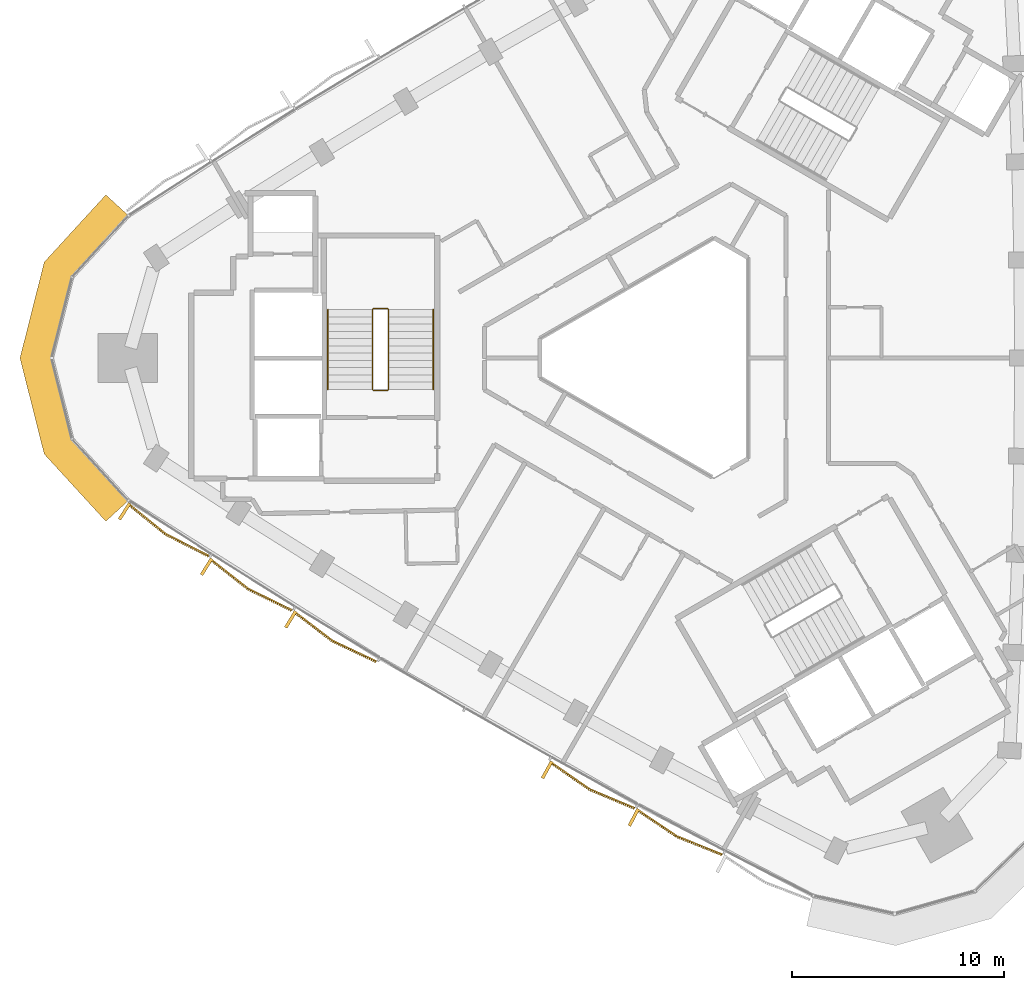
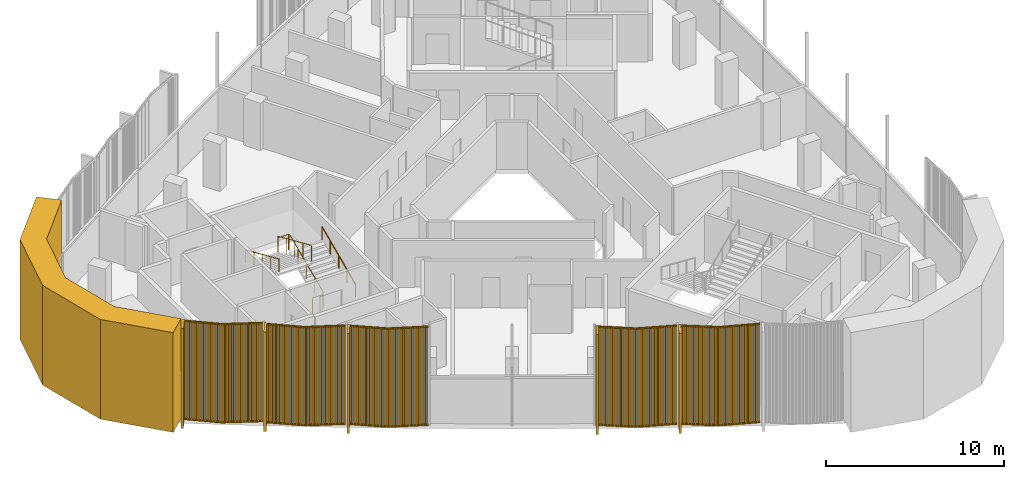
# One storey, part 12 of 16: 6 coverings, 3 railings.
"""IFC4 building model written with IfcOpenShell, lengths in metres."""

import ifcopenshell
import ifcopenshell.guid

model = None  # the IFC model being written
_history = None  # IfcOwnerHistory: only IFC2X3 demands one
_inside = {}  # id of a spatial element -> (the spatial element, [elements in it])
_under = {}  # id of a project, library or spatial element -> (it, [spatial elements below it])
_declared = {}  # id of a project -> (the project, [libraries it declares])
_typed = {}  # id of a type object -> (the type object, [elements of that type])
_made_of = {}  # id of a material, layer set ... -> (it, [elements and type objects made of it])


def new_model(schema):
    """Start an empty IFC model of exactly this schema.

    Asked for "IFC4X3", IfcOpenShell would pick the latest addendum, in which some entities
    have other attributes; the version numbers below select the first issue.
    IFC2X3 requires an IfcOwnerHistory on every rooted entity: one is made here for all.
    """
    global model, _history
    if schema == "IFC4X3":
        model = ifcopenshell.file(schema_version=(4, 3, 0, 0))
    else:
        model = ifcopenshell.file(schema=schema)
    _inside.clear()
    _under.clear()
    _declared.clear()
    _typed.clear()
    _made_of.clear()
    _history = None
    if model.schema == "IFC2X3":
        org = make("IfcOrganization", Name="unknown")
        user = make(
            "IfcPersonAndOrganization",
            ThePerson=make("IfcPerson", FamilyName="unknown"),
            TheOrganization=org,
        )
        app = make(
            "IfcApplication",
            ApplicationDeveloper=org,
            Version="unknown",
            ApplicationFullName="unknown",
            ApplicationIdentifier="unknown",
        )
        _history = make(
            "IfcOwnerHistory",
            OwningUser=user,
            OwningApplication=app,
            ChangeAction="ADDED",
            CreationDate=0,
        )
    return model


def make(cls, **values):
    """One entity of the class cls with the attributes given. An attribute that is None is left unset."""
    return model.create_entity(
        cls, **{name: value for name, value in values.items() if value is not None}
    )


def rooted(cls, **values):
    """An entity with a GlobalId (a new one), such as an element, a storey or a relation."""
    return make(cls, GlobalId=ifcopenshell.guid.new(), OwnerHistory=_history, **values)


def si_unit(unit_type, name, prefix=None):
    """IfcSIUnit, for example si_unit("LENGTHUNIT", "METRE", prefix="MILLI")."""
    return make("IfcSIUnit", UnitType=unit_type, Prefix=prefix, Name=name)


def assignment(units):
    """IfcUnitAssignment: the units of a project."""
    return None if units is None else make("IfcUnitAssignment", Units=units)


def point(xyz):
    """IfcCartesianPoint."""
    return None if xyz is None else make("IfcCartesianPoint", Coordinates=xyz)


def direction(xyz):
    """IfcDirection."""
    return None if xyz is None else make("IfcDirection", DirectionRatios=xyz)


def frame(location, z_axis=None, x_axis=None):
    """IfcAxis2Placement3D, a coordinate frame: its origin and axes. An axis left out is left unset."""
    return make(
        "IfcAxis2Placement3D",
        Location=point(location),
        Axis=direction(z_axis),
        RefDirection=direction(x_axis),
    )


def frame_2d(location, x_axis=None):
    """IfcAxis2Placement2D, a coordinate frame in the plane: its origin and x axis."""
    return make(
        "IfcAxis2Placement2D", Location=point(location), RefDirection=direction(x_axis)
    )


def origin():
    """The frame at (0, 0, 0) with its axes left unset."""
    return frame((0.0, 0.0, 0.0))


def origin_2d():
    """The frame at (0, 0) in the plane with its x axis left unset."""
    return frame_2d((0.0, 0.0))


def place(relative_to, where):
    """IfcLocalPlacement: puts the frame where relative to a parent placement (None: the world)."""
    return make(
        "IfcLocalPlacement", PlacementRelTo=relative_to, RelativePlacement=where
    )


def context(
    kind, dimensions, precision=None, world=None, true_north=None, identifier=None
):
    """IfcGeometricRepresentationContext, for example the 3D "Model" context."""
    return make(
        "IfcGeometricRepresentationContext",
        ContextIdentifier=identifier,
        ContextType=kind,
        CoordinateSpaceDimension=dimensions,
        Precision=precision,
        WorldCoordinateSystem=world,
        TrueNorth=true_north,
    )


def subcontext(parent, identifier, kind, view, scale=None):
    """IfcGeometricRepresentationSubContext, for example "Body" below "Model"."""
    return make(
        "IfcGeometricRepresentationSubContext",
        ContextIdentifier=identifier,
        ContextType=kind,
        ParentContext=parent,
        TargetScale=scale,
        TargetView=view,
    )


def project(units=None, contexts=None):
    """IfcProject with its units and contexts."""
    return rooted(
        "IfcProject",
        Name="project",
        RepresentationContexts=contexts,
        UnitsInContext=assignment(units),
    )


def spatial(cls, under=None, at=None, **own):
    """A site, building, storey or space (cls), placed at a placement, below another one or the project."""
    s = rooted(cls, ObjectPlacement=at, **own)
    if under is not None:
        _under.setdefault(under.id(), (under, []))[1].append(s)
    return s


def polyline(points):
    """IfcPolyline through the points."""
    return make("IfcPolyline", Points=[point(p) for p in points])


def profile(cls, at=None, kind="AREA", **sizes):
    """A parametric profile (cls). Its sizes go by their IFC names, for example OverallWidth=200.0."""
    return make(cls, ProfileType=kind, Position=at, **sizes)


def rectangle(**sizes):
    """IfcRectangleProfileDef."""
    return profile("IfcRectangleProfileDef", **sizes)


def circle(**sizes):
    """IfcCircleProfileDef."""
    return profile("IfcCircleProfileDef", **sizes)


def outline(outer, holes=None, kind="AREA"):
    """IfcArbitraryClosedProfileDef: a profile drawn as a closed curve; with holes, ...WithVoids."""
    if holes is None:
        return make("IfcArbitraryClosedProfileDef", ProfileType=kind, OuterCurve=outer)
    return make(
        "IfcArbitraryProfileDefWithVoids",
        ProfileType=kind,
        OuterCurve=outer,
        InnerCurves=holes,
    )


def extrude(swept, where, along, depth):
    """IfcExtrudedAreaSolid: the profile swept, set in the frame where, extruded along a direction by depth."""
    return make(
        "IfcExtrudedAreaSolid",
        SweptArea=swept,
        Position=where,
        ExtrudedDirection=direction(along),
        Depth=depth,
    )


def shape(context_of_items, identifier, shape_type, items):
    """IfcShapeRepresentation: the items that make up one representation, for example the "Body"."""
    return make(
        "IfcShapeRepresentation",
        ContextOfItems=context_of_items,
        RepresentationIdentifier=identifier,
        RepresentationType=shape_type,
        Items=items,
    )


def source(mapping_origin, context_of_items, identifier, shape_type, items):
    """IfcRepresentationMap: a shape defined once, which mapped items show again and again."""
    return make(
        "IfcRepresentationMap",
        MappingOrigin=mapping_origin,
        MappedRepresentation=shape(context_of_items, identifier, shape_type, items),
    )


def transform(
    local_origin,
    x_axis=None,
    y_axis=None,
    z_axis=None,
    scale=None,
    scale2=None,
    scale3=None,
    uniform=True,
):
    """IfcCartesianTransformationOperator3D, or its non-uniform kind. x_axis, y_axis, z_axis: its Axis1, 2, 3."""
    if uniform:
        return make(
            "IfcCartesianTransformationOperator3D",
            Axis1=direction(x_axis),
            Axis2=direction(y_axis),
            LocalOrigin=point(local_origin),
            Scale=scale,
            Axis3=direction(z_axis),
        )
    return make(
        "IfcCartesianTransformationOperator3DnonUniform",
        Axis1=direction(x_axis),
        Axis2=direction(y_axis),
        LocalOrigin=point(local_origin),
        Scale=scale,
        Axis3=direction(z_axis),
        Scale2=scale2,
        Scale3=scale3,
    )


def mapped(mapping_source, mapping_target):
    """IfcMappedItem: shows the shape of a source again, moved by a transform."""
    return make(
        "IfcMappedItem", MappingSource=mapping_source, MappingTarget=mapping_target
    )


def material(Name=None, Category=None):
    """IfcMaterial."""
    return make("IfcMaterial", Name=Name, Category=Category)


def layer(
    of_material, thickness, ventilated=None, Name=None, Category=None, Priority=None
):
    """IfcMaterialLayer: one layer of a wall or slab, of a material (None: an air gap)."""
    return make(
        "IfcMaterialLayer",
        Material=of_material,
        LayerThickness=thickness,
        IsVentilated=ventilated,
        Name=Name,
        Category=Category,
        Priority=Priority,
    )


def layer_set(layers, Name=None):
    """IfcMaterialLayerSet."""
    return make("IfcMaterialLayerSet", MaterialLayers=layers, LayerSetName=Name)


def made_of(thing, what):
    """Note that an element or type object is made of a material, layer set ...; save() writes the relation."""
    if what is not None:
        _made_of.setdefault(what.id(), (what, []))[1].append(thing)
    return thing


def type_object(cls, material=None, **own):
    """A type object (cls), such as IfcWallType, which elements share."""
    return made_of(rooted(cls, **own), material)


def element(
    cls,
    number,
    at=None,
    inside=None,
    cuts=None,
    type_object=None,
    material=None,
    context=None,
    identifier="Body",
    shape_type=None,
    held_by="IfcProductDefinitionShape",
    body=None,
    shapes=None,
    **own,
):
    """One element of the class cls, such as IfcWall. Its Tag is "e" and its number.

    at: its placement. inside: the storey or other place that contains it. cuts: it is an
    opening in that element (IfcRelVoidsElement). A single representation is given by context,
    identifier, shape_type and body (its items); several are given by shapes. held_by: the class
    of the entity that holds the representations. save() writes the other relations.
    """
    e = rooted(cls, Tag="e%d" % number, ObjectPlacement=at, **own)
    if body is not None:
        shapes = [shape(context, identifier, shape_type, body)]
    if shapes is not None:
        e.Representation = make(held_by, Representations=shapes)
    if inside is not None:
        _inside.setdefault(inside.id(), (inside, []))[1].append(e)
    if cuts is not None:
        rooted(
            "IfcRelVoidsElement", RelatingBuildingElement=cuts, RelatedOpeningElement=e
        )
    if type_object is not None:
        _typed.setdefault(type_object.id(), (type_object, []))[1].append(e)
    return made_of(e, material)


def aggregate(whole, parts):
    """IfcRelAggregates: a whole, such as a stair, and the parts it consists of."""
    return rooted("IfcRelAggregates", RelatingObject=whole, RelatedObjects=parts)


def save(model, path):
    """Write the relations noted so far, then the file.

    IfcRelAggregates (storeys below a building ...), IfcRelContainedInSpatialStructure (elements
    in a storey), IfcRelDefinesByType, IfcRelAssociatesMaterial and IfcRelDeclares: one each for
    every whole, place, type object, material and project.
    """
    for whole, parts in _under.values():
        aggregate(whole, parts)
    for where, things in _inside.values():
        rooted(
            "IfcRelContainedInSpatialStructure",
            RelatedElements=things,
            RelatingStructure=where,
        )
    for kind, things in _typed.values():
        rooted("IfcRelDefinesByType", RelatedObjects=things, RelatingType=kind)
    for what, things in _made_of.values():
        rooted("IfcRelAssociatesMaterial", RelatedObjects=things, RelatingMaterial=what)
    for by, libraries in _declared.values():
        rooted("IfcRelDeclares", RelatingContext=by, RelatedDefinitions=libraries)
    model.write(path)


model = new_model("IFC4")

# Units and contexts
model_context = context("Model", 3, precision=1e-05, world=origin(), true_north=direction((0.0, 1.0)))
body_context = subcontext(model_context, "Body", "Model", "MODEL_VIEW")
ifc_project = project(units=[si_unit("LENGTHUNIT", "METRE"), si_unit("AREAUNIT", "SQUARE_METRE"), si_unit("VOLUMEUNIT", "CUBIC_METRE"), si_unit("PLANEANGLEUNIT", "RADIAN"), si_unit("MASSUNIT", "GRAM", prefix="KILO")], contexts=[model_context])

# Site, building, storey
site_placement = place(None, origin())
site = spatial("IfcSite", under=ifc_project, at=site_placement, CompositionType="ELEMENT")
building_placement = place(site_placement, origin())
building = spatial("IfcBuilding", under=site, at=building_placement, Name="Tamra Quay Hotel Tower", CompositionType="ELEMENT")
storey_placement = place(building_placement, frame((0.0, 0.0, 232.199951171875)))
storey = spatial("IfcBuildingStorey", under=building, at=storey_placement, Name="L58", CompositionType="ELEMENT", Elevation=232.199951171875)

# Covering
ifc_material_1 = material(Name="Precast concrete M60 terracotta-coloured", Category="masonry")
ifc_layer = layer(ifc_material_1, 1.449951171875)
ifc_layer_set = layer_set([ifc_layer], Name="CORNER PIER PANEL")
covering_type_1 = type_object("IfcCoveringType", Name="CORNER PIER PANEL", PredefinedType="CLADDING", material=ifc_layer_set)
covering_placement = place(storey_placement, origin())
element("IfcCovering", 1, at=covering_placement, inside=storey, type_object=covering_type_1, Name="Corner pier L58.north-west", PredefinedType="CLADDING", context=body_context, shape_type="SweptSolid", body=[
    extrude(outline(polyline([(-25.387939453125, 6.712646484375), (-26.457275390625, 7.69189453125), (-29.3603515625, 4.5224609375), (-30.501708984375, 0.0), (-29.3603515625, -4.5224609375), (-26.457275390625, -7.69189453125), (-25.387939453125, -6.712646484375), (-28.0439453125, -3.812744140625), (-29.006103515625, 0.0), (-28.0439453125, 3.812744140625), (-25.387939453125, 6.712646484375)])), origin(), (0.0, 0.0, 1.0), 6.85009765625),
])

# Railings
ifc_material_2 = material(Name="Stair guard 1100")
railing_type_1 = type_object("IfcRailingType", Name="Stair guard 1100", PredefinedType="GUARDRAIL", material=ifc_material_2)
railing_1_placement = place(storey_placement, frame((-13.84130859375, -1.530029296875, 0.0)))
element("IfcRailing", 2, at=railing_1_placement, inside=storey, type_object=railing_type_1, Name="GR", PredefinedType="GUARDRAIL", context=body_context, shape_type="SweptSolid", body=[
    extrude(circle(Radius=0.02392578125, at=origin_2d()), frame((0.0, 0.0, 1.076171875), z_axis=(1.0, 0.0, 0.0), x_axis=(0.0, 1.0, 0.0)), (0.0, 0.0, 1.0), 0.658935546875),
    extrude(circle(Radius=0.02392578125, at=origin_2d()), frame((0.658935546875, 0.0, 1.076171875), z_axis=(0.301511344578, 0.301511344578, 0.904534033733), x_axis=(-0.707106781187, 0.707106781187, 0.0)), (0.0, 0.0, 1.0), 0.166015625),
    extrude(circle(Radius=0.02392578125, at=origin_2d()), frame((0.708984375, 0.050048828125, 1.22607421875), z_axis=(0.0, 0.915795495799, 0.401644880304), x_axis=(-1.0, 0.0, 0.0)), (0.0, 0.0, 1.0), 4.10791015625),
    extrude(circle(Radius=0.02392578125, at=origin_2d()), frame((0.708984375, 3.81201171875, 2.8759765625), z_axis=(-0.708833529934, 0.705375805398, 0.0), x_axis=(-0.705375805398, -0.708833529934, 0.0)), (0.0, 0.0, 1.0), 0.070556640625),
    extrude(circle(Radius=0.02392578125, at=origin_2d()), frame((0.658935546875, 3.86181640625, 2.8759765625), z_axis=(-1.0, 0.0, 0.0), x_axis=(0.0, -1.0, 0.0)), (0.0, 0.0, 1.0), 0.658935546875),
    extrude(circle(Radius=0.02392578125, at=origin_2d()), frame((0.0, 3.86181640625, 2.8759765625), z_axis=(-0.302046947789, -0.300573548044, 0.904667443621), x_axis=(0.705375805398, -0.708833529934, 0.0)), (0.0, 0.0, 1.0), 0.165771484375),
    extrude(circle(Radius=0.02392578125, at=origin_2d()), frame((-0.050048828125, 3.81201171875, 3.02587890625), z_axis=(0.0, -0.915773634228, 0.401694723457), x_axis=(1.0, 0.0, 0.0)), (0.0, 0.0, 1.0), 4.10791015625),
    extrude(circle(Radius=0.02099609375, at=origin_2d()), origin(), (0.0, 0.0, 1.0), 1.052001953125),
    extrude(circle(Radius=0.02099609375, at=origin_2d()), frame((0.658935546875, 0.0, 0.0)), (0.0, 0.0, 1.0), 1.052001953125),
    extrude(circle(Radius=0.02099609375, at=origin_2d()), frame((0.708984375, 0.050048828125, 0.150146484375)), (0.0, 0.0, 1.0), 1.052001953125),
    extrude(circle(Radius=0.02099609375, at=origin_2d()), frame((0.708984375, 0.990478515625, 0.5625)), (0.0, 0.0, 1.0), 1.052001953125),
    extrude(circle(Radius=0.02099609375, at=origin_2d()), frame((0.708984375, 1.93115234375, 0.97509765625)), (0.0, 0.0, 1.0), 1.052001953125),
    extrude(circle(Radius=0.02099609375, at=origin_2d()), frame((0.708984375, 2.87158203125, 1.3876953125)), (0.0, 0.0, 1.0), 1.052001953125),
    extrude(circle(Radius=0.02099609375, at=origin_2d()), frame((0.708984375, 3.81201171875, 1.800048828125)), (0.0, 0.0, 1.0), 1.052001953125),
    extrude(circle(Radius=0.02099609375, at=origin_2d()), frame((0.658935546875, 3.86181640625, 1.800048828125)), (0.0, 0.0, 1.0), 1.052001953125),
    extrude(circle(Radius=0.02099609375, at=origin_2d()), frame((0.0, 3.86181640625, 1.800048828125)), (0.0, 0.0, 1.0), 1.052001953125),
    extrude(circle(Radius=0.02099609375, at=origin_2d()), frame((-0.050048828125, 3.81201171875, 1.949951171875)), (0.0, 0.0, 1.0), 1.052001953125),
    extrude(circle(Radius=0.02099609375, at=origin_2d()), frame((-0.050048828125, 2.87158203125, 2.362548828125)), (0.0, 0.0, 1.0), 1.052001953125),
    extrude(circle(Radius=0.02099609375, at=origin_2d()), frame((-0.050048828125, 1.93115234375, 2.77490234375)), (0.0, 0.0, 1.0), 1.052001953125),
    extrude(circle(Radius=0.02099609375, at=origin_2d()), frame((-0.050048828125, 0.990478515625, 3.1875)), (0.0, 0.0, 1.0), 1.052001953125),
    extrude(circle(Radius=0.02099609375, at=origin_2d()), frame((-0.050048828125, 0.050048828125, 3.60009765625)), (0.0, 0.0, 1.0), 1.052001953125),
])
ifc_material_3 = material(Name="Stair handrail 900")
railing_type_2 = type_object("IfcRailingType", Name="Stair handrail 900", PredefinedType="HANDRAIL", material=ifc_material_3)
railing_2_placement = place(storey_placement, frame((-11.0322265625, -1.47998046875, 0.150146484375)))
element("IfcRailing", 3, at=railing_2_placement, inside=storey, type_object=railing_type_2, Name="HR", PredefinedType="HANDRAIL", context=body_context, shape_type="SweptSolid", body=[
    extrude(circle(Radius=0.02392578125, at=origin_2d()), frame((0.0, 0.0, 0.8759765625), z_axis=(0.0, 0.915795495799, 0.401644880304), x_axis=(-1.0, 0.0, 0.0)), (0.0, 0.0, 1.0), 4.10791015625),
    extrude(circle(Radius=0.02099609375, at=origin_2d()), origin(), (0.0, 0.0, 1.0), 0.851806640625),
    extrude(circle(Radius=0.02099609375, at=origin_2d()), frame((0.0, 0.9404296875, 0.41259765625)), (0.0, 0.0, 1.0), 0.851806640625),
    extrude(circle(Radius=0.02099609375, at=origin_2d()), frame((0.0, 1.880859375, 0.824951171875)), (0.0, 0.0, 1.0), 0.851806640625),
    extrude(circle(Radius=0.02099609375, at=origin_2d()), frame((0.0, 2.821533203125, 1.2373046875)), (0.0, 0.0, 1.0), 0.851806640625),
    extrude(circle(Radius=0.02099609375, at=origin_2d()), frame((0.0, 3.761962890625, 1.64990234375)), (0.0, 0.0, 1.0), 0.851806640625),
])
railing_3_placement = place(storey_placement, frame((-15.9912109375, 2.281982421875, 1.949951171875)))
element("IfcRailing", 4, at=railing_3_placement, inside=storey, type_object=railing_type_2, Name="HR", PredefinedType="HANDRAIL", context=body_context, shape_type="SweptSolid", body=[
    extrude(circle(Radius=0.02392578125, at=origin_2d()), frame((0.0, 0.0, 0.8759765625), z_axis=(0.0, -0.915773634228, 0.401694723457), x_axis=(1.0, 0.0, 0.0)), (0.0, 0.0, 1.0), 4.10791015625),
    extrude(circle(Radius=0.02099609375, at=origin_2d()), origin(), (0.0, 0.0, 1.0), 0.851806640625),
    extrude(circle(Radius=0.02099609375, at=origin_2d()), frame((0.0, -0.9404296875, 0.41259765625)), (0.0, 0.0, 1.0), 0.851806640625),
    extrude(circle(Radius=0.02099609375, at=origin_2d()), frame((0.0, -1.880859375, 0.8251953125)), (0.0, 0.0, 1.0), 0.851806640625),
    extrude(circle(Radius=0.02099609375, at=origin_2d()), frame((0.0, -2.821533203125, 1.237548828125)), (0.0, 0.0, 1.0), 0.851806640625),
    extrude(circle(Radius=0.02099609375, at=origin_2d()), frame((0.0, -3.761962890625, 1.650146484375)), (0.0, 0.0, 1.0), 0.851806640625),
])

# Coverings
ifc_material_4 = material(Name="Terracotta baguette extruded", Category="masonry")
covering_type_2 = type_object("IfcCoveringType", Name="BAGUETTE SCREEN SW-V H6850", PredefinedType="USERDEFINED", material=ifc_material_4)
shared_shape_1 = source(origin(), body_context, "Body", "SweptSolid", [
    extrude(rectangle(XDim=2.295166015625, YDim=0.06005859375, at=frame_2d((1.1474609375, 0.030029296875))), frame((-2.288818359375, -0.0576171875, -0.1201171875), z_axis=(0.0, 0.0, 1.0), x_axis=(0.994521895368, -0.104528463268, 0.0)), (0.0, 0.0, 1.0), 0.1201171875),
    extrude(rectangle(XDim=2.295166015625, YDim=0.06005859375, at=frame_2d((1.1474609375, 0.030029296875))), frame((-2.288818359375, -0.0576171875, -6.85009765625), z_axis=(0.0, 0.0, 1.0), x_axis=(0.994521895368, -0.104528463268, 0.0)), (0.0, 0.0, 1.0), 0.1201171875),
    extrude(rectangle(XDim=0.070068359375, YDim=0.10009765625, at=frame_2d((0.03515625, 0.050048828125))), frame((-2.267822265625, -0.13330078125, -6.7900390625)), (0.0, 0.0, 1.0), 6.72998046875),
    extrude(rectangle(XDim=0.070068359375, YDim=0.10009765625, at=frame_2d((0.03515625, 0.050048828125))), frame((-2.168701171875, -0.1435546875, -6.7900390625)), (0.0, 0.0, 1.0), 6.72998046875),
    extrude(rectangle(XDim=0.070068359375, YDim=0.10009765625, at=frame_2d((0.03515625, 0.050048828125))), frame((-2.0693359375, -0.154052734375, -6.7900390625)), (0.0, 0.0, 1.0), 6.72998046875),
    extrude(rectangle(XDim=0.070068359375, YDim=0.10009765625, at=frame_2d((0.03515625, 0.050048828125))), frame((-1.97021484375, -0.16455078125, -6.7900390625)), (0.0, 0.0, 1.0), 6.72998046875),
    extrude(rectangle(XDim=0.070068359375, YDim=0.10009765625, at=frame_2d((0.03515625, 0.050048828125))), frame((-1.870849609375, -0.175048828125, -6.7900390625)), (0.0, 0.0, 1.0), 6.72998046875),
    extrude(rectangle(XDim=0.070068359375, YDim=0.10009765625, at=frame_2d((0.03515625, 0.050048828125))), frame((-1.771728515625, -0.185302734375, -6.7900390625)), (0.0, 0.0, 1.0), 6.72998046875),
    extrude(rectangle(XDim=0.070068359375, YDim=0.10009765625, at=frame_2d((0.03515625, 0.050048828125))), frame((-1.67236328125, -0.19580078125, -6.7900390625)), (0.0, 0.0, 1.0), 6.72998046875),
    extrude(rectangle(XDim=0.070068359375, YDim=0.10009765625, at=frame_2d((0.03515625, 0.050048828125))), frame((-1.5732421875, -0.206298828125, -6.7900390625)), (0.0, 0.0, 1.0), 6.72998046875),
    extrude(rectangle(XDim=0.070068359375, YDim=0.10009765625, at=frame_2d((0.03515625, 0.050048828125))), frame((-1.473876953125, -0.216552734375, -6.7900390625)), (0.0, 0.0, 1.0), 6.72998046875),
    extrude(rectangle(XDim=0.070068359375, YDim=0.10009765625, at=frame_2d((0.03515625, 0.050048828125))), frame((-1.374755859375, -0.22705078125, -6.7900390625)), (0.0, 0.0, 1.0), 6.72998046875),
    extrude(rectangle(XDim=0.070068359375, YDim=0.10009765625, at=frame_2d((0.03515625, 0.050048828125))), frame((-1.275390625, -0.237548828125, -6.7900390625)), (0.0, 0.0, 1.0), 6.72998046875),
    extrude(rectangle(XDim=0.070068359375, YDim=0.10009765625, at=frame_2d((0.03515625, 0.050048828125))), frame((-1.17626953125, -0.248046875, -6.7900390625)), (0.0, 0.0, 1.0), 6.72998046875),
    extrude(rectangle(XDim=0.070068359375, YDim=0.10009765625, at=frame_2d((0.03515625, 0.050048828125))), frame((-1.076904296875, -0.25830078125, -6.7900390625)), (0.0, 0.0, 1.0), 6.72998046875),
    extrude(rectangle(XDim=0.070068359375, YDim=0.10009765625, at=frame_2d((0.03515625, 0.050048828125))), frame((-0.977783203125, -0.268798828125, -6.7900390625)), (0.0, 0.0, 1.0), 6.72998046875),
    extrude(rectangle(XDim=0.070068359375, YDim=0.10009765625, at=frame_2d((0.03515625, 0.050048828125))), frame((-0.87841796875, -0.279296875, -6.7900390625)), (0.0, 0.0, 1.0), 6.72998046875),
    extrude(rectangle(XDim=0.070068359375, YDim=0.10009765625, at=frame_2d((0.03515625, 0.050048828125))), frame((-0.779296875, -0.28955078125, -6.7900390625)), (0.0, 0.0, 1.0), 6.72998046875),
    extrude(rectangle(XDim=0.070068359375, YDim=0.10009765625, at=frame_2d((0.03515625, 0.050048828125))), frame((-0.679931640625, -0.300048828125, -6.7900390625)), (0.0, 0.0, 1.0), 6.72998046875),
    extrude(rectangle(XDim=0.070068359375, YDim=0.10009765625, at=frame_2d((0.03515625, 0.050048828125))), frame((-0.580810546875, -0.310546875, -6.7900390625)), (0.0, 0.0, 1.0), 6.72998046875),
    extrude(rectangle(XDim=0.070068359375, YDim=0.10009765625, at=frame_2d((0.03515625, 0.050048828125))), frame((-0.481689453125, -0.321044921875, -6.7900390625)), (0.0, 0.0, 1.0), 6.72998046875),
    extrude(rectangle(XDim=0.070068359375, YDim=0.10009765625, at=frame_2d((0.03515625, 0.050048828125))), frame((-0.38232421875, -0.331298828125, -6.7900390625)), (0.0, 0.0, 1.0), 6.72998046875),
    extrude(rectangle(XDim=0.070068359375, YDim=0.10009765625, at=frame_2d((0.03515625, 0.050048828125))), frame((-0.283203125, -0.341796875, -6.7900390625)), (0.0, 0.0, 1.0), 6.72998046875),
    extrude(rectangle(XDim=0.070068359375, YDim=0.10009765625, at=frame_2d((0.03515625, 0.050048828125))), frame((-0.183837890625, -0.352294921875, -6.7900390625)), (0.0, 0.0, 1.0), 6.72998046875),
    extrude(rectangle(XDim=0.070068359375, YDim=0.10009765625, at=frame_2d((0.03515625, 0.050048828125))), frame((-0.084716796875, -0.36279296875, -6.7900390625)), (0.0, 0.0, 1.0), 6.72998046875),
    extrude(rectangle(XDim=2.295166015625, YDim=0.06005859375, at=frame_2d((1.1474609375, 0.030029296875))), frame((0.00634765625, -0.297607421875, -0.1201171875), z_axis=(0.0, 0.0, 1.0), x_axis=(0.994521895368, 0.104528463268, 0.0)), (0.0, 0.0, 1.0), 0.1201171875),
    extrude(rectangle(XDim=2.295166015625, YDim=0.06005859375, at=frame_2d((1.1474609375, 0.030029296875))), frame((0.00634765625, -0.297607421875, -6.85009765625), z_axis=(0.0, 0.0, 1.0), x_axis=(0.994521895368, 0.104528463268, 0.0)), (0.0, 0.0, 1.0), 0.1201171875),
    extrude(rectangle(XDim=0.070068359375, YDim=0.10009765625, at=frame_2d((0.03515625, 0.050048828125))), frame((0.0146484375, -0.36279296875, -6.7900390625)), (0.0, 0.0, 1.0), 6.72998046875),
    extrude(rectangle(XDim=0.070068359375, YDim=0.10009765625, at=frame_2d((0.03515625, 0.050048828125))), frame((0.11376953125, -0.352294921875, -6.7900390625)), (0.0, 0.0, 1.0), 6.72998046875),
    extrude(rectangle(XDim=0.070068359375, YDim=0.10009765625, at=frame_2d((0.03515625, 0.050048828125))), frame((0.213134765625, -0.341796875, -6.7900390625)), (0.0, 0.0, 1.0), 6.72998046875),
    extrude(rectangle(XDim=0.070068359375, YDim=0.10009765625, at=frame_2d((0.03515625, 0.050048828125))), frame((0.312255859375, -0.331298828125, -6.7900390625)), (0.0, 0.0, 1.0), 6.72998046875),
    extrude(rectangle(XDim=0.070068359375, YDim=0.10009765625, at=frame_2d((0.03515625, 0.050048828125))), frame((0.41162109375, -0.321044921875, -6.7900390625)), (0.0, 0.0, 1.0), 6.72998046875),
    extrude(rectangle(XDim=0.070068359375, YDim=0.10009765625, at=frame_2d((0.03515625, 0.050048828125))), frame((0.5107421875, -0.310546875, -6.7900390625)), (0.0, 0.0, 1.0), 6.72998046875),
    extrude(rectangle(XDim=0.070068359375, YDim=0.10009765625, at=frame_2d((0.03515625, 0.050048828125))), frame((0.610107421875, -0.300048828125, -6.7900390625)), (0.0, 0.0, 1.0), 6.72998046875),
    extrude(rectangle(XDim=0.070068359375, YDim=0.10009765625, at=frame_2d((0.03515625, 0.050048828125))), frame((0.709228515625, -0.28955078125, -6.7900390625)), (0.0, 0.0, 1.0), 6.72998046875),
    extrude(rectangle(XDim=0.070068359375, YDim=0.10009765625, at=frame_2d((0.03515625, 0.050048828125))), frame((0.80859375, -0.279296875, -6.7900390625)), (0.0, 0.0, 1.0), 6.72998046875),
    extrude(rectangle(XDim=0.070068359375, YDim=0.10009765625, at=frame_2d((0.03515625, 0.050048828125))), frame((0.90771484375, -0.268798828125, -6.7900390625)), (0.0, 0.0, 1.0), 6.72998046875),
    extrude(rectangle(XDim=0.070068359375, YDim=0.10009765625, at=frame_2d((0.03515625, 0.050048828125))), frame((1.007080078125, -0.25830078125, -6.7900390625)), (0.0, 0.0, 1.0), 6.72998046875),
    extrude(rectangle(XDim=0.070068359375, YDim=0.10009765625, at=frame_2d((0.03515625, 0.050048828125))), frame((1.106201171875, -0.248046875, -6.7900390625)), (0.0, 0.0, 1.0), 6.72998046875),
    extrude(rectangle(XDim=0.070068359375, YDim=0.10009765625, at=frame_2d((0.03515625, 0.050048828125))), frame((1.20556640625, -0.237548828125, -6.7900390625)), (0.0, 0.0, 1.0), 6.72998046875),
    extrude(rectangle(XDim=0.070068359375, YDim=0.10009765625, at=frame_2d((0.03515625, 0.050048828125))), frame((1.3046875, -0.22705078125, -6.7900390625)), (0.0, 0.0, 1.0), 6.72998046875),
    extrude(rectangle(XDim=0.070068359375, YDim=0.10009765625, at=frame_2d((0.03515625, 0.050048828125))), frame((1.404052734375, -0.216552734375, -6.7900390625)), (0.0, 0.0, 1.0), 6.72998046875),
    extrude(rectangle(XDim=0.070068359375, YDim=0.10009765625, at=frame_2d((0.03515625, 0.050048828125))), frame((1.503173828125, -0.206298828125, -6.7900390625)), (0.0, 0.0, 1.0), 6.72998046875),
    extrude(rectangle(XDim=0.070068359375, YDim=0.10009765625, at=frame_2d((0.03515625, 0.050048828125))), frame((1.6025390625, -0.19580078125, -6.7900390625)), (0.0, 0.0, 1.0), 6.72998046875),
    extrude(rectangle(XDim=0.070068359375, YDim=0.10009765625, at=frame_2d((0.03515625, 0.050048828125))), frame((1.70166015625, -0.185302734375, -6.7900390625)), (0.0, 0.0, 1.0), 6.72998046875),
    extrude(rectangle(XDim=0.070068359375, YDim=0.10009765625, at=frame_2d((0.03515625, 0.050048828125))), frame((1.801025390625, -0.175048828125, -6.7900390625)), (0.0, 0.0, 1.0), 6.72998046875),
    extrude(rectangle(XDim=0.070068359375, YDim=0.10009765625, at=frame_2d((0.03515625, 0.050048828125))), frame((1.900146484375, -0.16455078125, -6.7900390625)), (0.0, 0.0, 1.0), 6.72998046875),
    extrude(rectangle(XDim=0.070068359375, YDim=0.10009765625, at=frame_2d((0.03515625, 0.050048828125))), frame((1.99951171875, -0.154052734375, -6.7900390625)), (0.0, 0.0, 1.0), 6.72998046875),
    extrude(rectangle(XDim=0.070068359375, YDim=0.10009765625, at=frame_2d((0.03515625, 0.050048828125))), frame((2.0986328125, -0.1435546875, -6.7900390625)), (0.0, 0.0, 1.0), 6.72998046875),
    extrude(rectangle(XDim=0.070068359375, YDim=0.10009765625, at=frame_2d((0.03515625, 0.050048828125))), frame((2.197998046875, -0.13330078125, -6.7900390625)), (0.0, 0.0, 1.0), 6.72998046875),
    extrude(rectangle(XDim=0.14990234375, YDim=0.902099609375, at=frame_2d((0.074951171875, 0.451171875))), frame((-2.282470703125, -0.89990234375, -6.85009765625)), (0.0, 0.0, 1.0), 6.85009765625),
])
for number, where, z_axis, x_axis, name in (
    (5, (-23.477783203125, -8.04931640625, 6.85009765625), (0.0, 0.0, 1.0), (0.839179103518, -0.54385515739, 0.0), "Baguette screen L58.SW.f00"),
    (6, (-15.625244140625, -13.07666015625, 6.85009765625), (0.0, 0.0, 1.0), (0.854783246382, -0.518985165207, 0.0), "Baguette screen L58.SW.f02"),
    (7, (-3.51220703125, -20.0703125, 6.85009765625), (0.0, 0.0, 1.0), (0.876845960448, -0.480771423492, 0.0), "Baguette screen L58.SW.f05"),
):
    element("IfcCovering", number, at=place(storey_placement, frame(where, z_axis=z_axis, x_axis=x_axis)), inside=storey, type_object=covering_type_2, Name=name, ObjectType="BAGUETTE SCREEN", PredefinedType="USERDEFINED", context=body_context, shape_type="MappedRepresentation", body=[
        mapped(shared_shape_1, transform((0.0, 0.0, 0.0), scale=1.0)),
    ])
shared_shape_2 = source(origin(), body_context, "Body", "SweptSolid", [
    extrude(rectangle(XDim=2.30517578125, YDim=0.06005859375, at=frame_2d((1.152587890625, 0.030029296875))), frame((-2.298828125, -0.0576171875, -0.1201171875), z_axis=(0.0, 0.0, 1.0), x_axis=(0.994521895368, -0.104528463268, 0.0)), (0.0, 0.0, 1.0), 0.1201171875),
    extrude(rectangle(XDim=2.30517578125, YDim=0.06005859375, at=frame_2d((1.152587890625, 0.030029296875))), frame((-2.298828125, -0.0576171875, -6.85009765625), z_axis=(0.0, 0.0, 1.0), x_axis=(0.994521895368, -0.104528463268, 0.0)), (0.0, 0.0, 1.0), 0.1201171875),
    extrude(rectangle(XDim=0.070068359375, YDim=0.10009765625, at=frame_2d((0.03515625, 0.050048828125))), frame((-2.277587890625, -0.13330078125, -6.7900390625)), (0.0, 0.0, 1.0), 6.72998046875),
    extrude(rectangle(XDim=0.070068359375, YDim=0.10009765625, at=frame_2d((0.03515625, 0.050048828125))), frame((-2.177978515625, -0.143798828125, -6.7900390625)), (0.0, 0.0, 1.0), 6.72998046875),
    extrude(rectangle(XDim=0.070068359375, YDim=0.10009765625, at=frame_2d((0.03515625, 0.050048828125))), frame((-2.078369140625, -0.154296875, -6.7900390625)), (0.0, 0.0, 1.0), 6.72998046875),
    extrude(rectangle(XDim=0.070068359375, YDim=0.10009765625, at=frame_2d((0.03515625, 0.050048828125))), frame((-1.978759765625, -0.16455078125, -6.7900390625)), (0.0, 0.0, 1.0), 6.72998046875),
    extrude(rectangle(XDim=0.070068359375, YDim=0.10009765625, at=frame_2d((0.03515625, 0.050048828125))), frame((-1.87890625, -0.175048828125, -6.7900390625)), (0.0, 0.0, 1.0), 6.72998046875),
    extrude(rectangle(XDim=0.070068359375, YDim=0.10009765625, at=frame_2d((0.03515625, 0.050048828125))), frame((-1.779296875, -0.185546875, -6.7900390625)), (0.0, 0.0, 1.0), 6.72998046875),
    extrude(rectangle(XDim=0.070068359375, YDim=0.10009765625, at=frame_2d((0.03515625, 0.050048828125))), frame((-1.6796875, -0.196044921875, -6.7900390625)), (0.0, 0.0, 1.0), 6.72998046875),
    extrude(rectangle(XDim=0.070068359375, YDim=0.10009765625, at=frame_2d((0.03515625, 0.050048828125))), frame((-1.579833984375, -0.20654296875, -6.7900390625)), (0.0, 0.0, 1.0), 6.72998046875),
    extrude(rectangle(XDim=0.070068359375, YDim=0.10009765625, at=frame_2d((0.03515625, 0.050048828125))), frame((-1.480224609375, -0.217041015625, -6.7900390625)), (0.0, 0.0, 1.0), 6.72998046875),
    extrude(rectangle(XDim=0.070068359375, YDim=0.10009765625, at=frame_2d((0.03515625, 0.050048828125))), frame((-1.380615234375, -0.2275390625, -6.7900390625)), (0.0, 0.0, 1.0), 6.72998046875),
    extrude(rectangle(XDim=0.070068359375, YDim=0.10009765625, at=frame_2d((0.03515625, 0.050048828125))), frame((-1.281005859375, -0.238037109375, -6.7900390625)), (0.0, 0.0, 1.0), 6.72998046875),
    extrude(rectangle(XDim=0.070068359375, YDim=0.10009765625, at=frame_2d((0.03515625, 0.050048828125))), frame((-1.18115234375, -0.24853515625, -6.7900390625)), (0.0, 0.0, 1.0), 6.72998046875),
    extrude(rectangle(XDim=0.070068359375, YDim=0.10009765625, at=frame_2d((0.03515625, 0.050048828125))), frame((-1.08154296875, -0.259033203125, -6.7900390625)), (0.0, 0.0, 1.0), 6.72998046875),
    extrude(rectangle(XDim=0.070068359375, YDim=0.10009765625, at=frame_2d((0.03515625, 0.050048828125))), frame((-0.98193359375, -0.26953125, -6.7900390625)), (0.0, 0.0, 1.0), 6.72998046875),
    extrude(rectangle(XDim=0.070068359375, YDim=0.10009765625, at=frame_2d((0.03515625, 0.050048828125))), frame((-0.88232421875, -0.27978515625, -6.7900390625)), (0.0, 0.0, 1.0), 6.72998046875),
    extrude(rectangle(XDim=0.070068359375, YDim=0.10009765625, at=frame_2d((0.03515625, 0.050048828125))), frame((-0.782470703125, -0.290283203125, -6.7900390625)), (0.0, 0.0, 1.0), 6.72998046875),
    extrude(rectangle(XDim=0.070068359375, YDim=0.10009765625, at=frame_2d((0.03515625, 0.050048828125))), frame((-0.682861328125, -0.30078125, -6.7900390625)), (0.0, 0.0, 1.0), 6.72998046875),
    extrude(rectangle(XDim=0.070068359375, YDim=0.10009765625, at=frame_2d((0.03515625, 0.050048828125))), frame((-0.583251953125, -0.311279296875, -6.7900390625)), (0.0, 0.0, 1.0), 6.72998046875),
    extrude(rectangle(XDim=0.070068359375, YDim=0.10009765625, at=frame_2d((0.03515625, 0.050048828125))), frame((-0.483642578125, -0.32177734375, -6.7900390625)), (0.0, 0.0, 1.0), 6.72998046875),
    extrude(rectangle(XDim=0.070068359375, YDim=0.10009765625, at=frame_2d((0.03515625, 0.050048828125))), frame((-0.3837890625, -0.332275390625, -6.7900390625)), (0.0, 0.0, 1.0), 6.72998046875),
    extrude(rectangle(XDim=0.070068359375, YDim=0.10009765625, at=frame_2d((0.03515625, 0.050048828125))), frame((-0.2841796875, -0.3427734375, -6.7900390625)), (0.0, 0.0, 1.0), 6.72998046875),
    extrude(rectangle(XDim=0.070068359375, YDim=0.10009765625, at=frame_2d((0.03515625, 0.050048828125))), frame((-0.1845703125, -0.353271484375, -6.7900390625)), (0.0, 0.0, 1.0), 6.72998046875),
    extrude(rectangle(XDim=0.070068359375, YDim=0.10009765625, at=frame_2d((0.03515625, 0.050048828125))), frame((-0.0849609375, -0.36376953125, -6.7900390625)), (0.0, 0.0, 1.0), 6.72998046875),
    extrude(rectangle(XDim=2.30517578125, YDim=0.06005859375, at=frame_2d((1.152587890625, 0.030029296875))), frame((0.00634765625, -0.298583984375, -0.1201171875), z_axis=(0.0, 0.0, 1.0), x_axis=(0.994521895368, 0.104528463268, 0.0)), (0.0, 0.0, 1.0), 0.1201171875),
    extrude(rectangle(XDim=2.30517578125, YDim=0.06005859375, at=frame_2d((1.152587890625, 0.030029296875))), frame((0.00634765625, -0.298583984375, -6.85009765625), z_axis=(0.0, 0.0, 1.0), x_axis=(0.994521895368, 0.104528463268, 0.0)), (0.0, 0.0, 1.0), 0.1201171875),
    extrude(rectangle(XDim=0.070068359375, YDim=0.10009765625, at=frame_2d((0.03515625, 0.050048828125))), frame((0.014892578125, -0.36376953125, -6.7900390625)), (0.0, 0.0, 1.0), 6.72998046875),
    extrude(rectangle(XDim=0.070068359375, YDim=0.10009765625, at=frame_2d((0.03515625, 0.050048828125))), frame((0.114501953125, -0.353271484375, -6.7900390625)), (0.0, 0.0, 1.0), 6.72998046875),
    extrude(rectangle(XDim=0.070068359375, YDim=0.10009765625, at=frame_2d((0.03515625, 0.050048828125))), frame((0.214111328125, -0.3427734375, -6.7900390625)), (0.0, 0.0, 1.0), 6.72998046875),
    extrude(rectangle(XDim=0.070068359375, YDim=0.10009765625, at=frame_2d((0.03515625, 0.050048828125))), frame((0.31396484375, -0.332275390625, -6.7900390625)), (0.0, 0.0, 1.0), 6.72998046875),
    extrude(rectangle(XDim=0.070068359375, YDim=0.10009765625, at=frame_2d((0.03515625, 0.050048828125))), frame((0.41357421875, -0.32177734375, -6.7900390625)), (0.0, 0.0, 1.0), 6.72998046875),
    extrude(rectangle(XDim=0.070068359375, YDim=0.10009765625, at=frame_2d((0.03515625, 0.050048828125))), frame((0.51318359375, -0.311279296875, -6.7900390625)), (0.0, 0.0, 1.0), 6.72998046875),
    extrude(rectangle(XDim=0.070068359375, YDim=0.10009765625, at=frame_2d((0.03515625, 0.050048828125))), frame((0.61279296875, -0.30078125, -6.7900390625)), (0.0, 0.0, 1.0), 6.72998046875),
    extrude(rectangle(XDim=0.070068359375, YDim=0.10009765625, at=frame_2d((0.03515625, 0.050048828125))), frame((0.712646484375, -0.290283203125, -6.7900390625)), (0.0, 0.0, 1.0), 6.72998046875),
    extrude(rectangle(XDim=0.070068359375, YDim=0.10009765625, at=frame_2d((0.03515625, 0.050048828125))), frame((0.812255859375, -0.27978515625, -6.7900390625)), (0.0, 0.0, 1.0), 6.72998046875),
    extrude(rectangle(XDim=0.070068359375, YDim=0.10009765625, at=frame_2d((0.03515625, 0.050048828125))), frame((0.911865234375, -0.26953125, -6.7900390625)), (0.0, 0.0, 1.0), 6.72998046875),
    extrude(rectangle(XDim=0.070068359375, YDim=0.10009765625, at=frame_2d((0.03515625, 0.050048828125))), frame((1.011474609375, -0.259033203125, -6.7900390625)), (0.0, 0.0, 1.0), 6.72998046875),
    extrude(rectangle(XDim=0.070068359375, YDim=0.10009765625, at=frame_2d((0.03515625, 0.050048828125))), frame((1.111328125, -0.24853515625, -6.7900390625)), (0.0, 0.0, 1.0), 6.72998046875),
    extrude(rectangle(XDim=0.070068359375, YDim=0.10009765625, at=frame_2d((0.03515625, 0.050048828125))), frame((1.2109375, -0.238037109375, -6.7900390625)), (0.0, 0.0, 1.0), 6.72998046875),
    extrude(rectangle(XDim=0.070068359375, YDim=0.10009765625, at=frame_2d((0.03515625, 0.050048828125))), frame((1.310546875, -0.2275390625, -6.7900390625)), (0.0, 0.0, 1.0), 6.72998046875),
    extrude(rectangle(XDim=0.070068359375, YDim=0.10009765625, at=frame_2d((0.03515625, 0.050048828125))), frame((1.41015625, -0.217041015625, -6.7900390625)), (0.0, 0.0, 1.0), 6.72998046875),
    extrude(rectangle(XDim=0.070068359375, YDim=0.10009765625, at=frame_2d((0.03515625, 0.050048828125))), frame((1.510009765625, -0.20654296875, -6.7900390625)), (0.0, 0.0, 1.0), 6.72998046875),
    extrude(rectangle(XDim=0.070068359375, YDim=0.10009765625, at=frame_2d((0.03515625, 0.050048828125))), frame((1.609619140625, -0.196044921875, -6.7900390625)), (0.0, 0.0, 1.0), 6.72998046875),
    extrude(rectangle(XDim=0.070068359375, YDim=0.10009765625, at=frame_2d((0.03515625, 0.050048828125))), frame((1.709228515625, -0.185546875, -6.7900390625)), (0.0, 0.0, 1.0), 6.72998046875),
    extrude(rectangle(XDim=0.070068359375, YDim=0.10009765625, at=frame_2d((0.03515625, 0.050048828125))), frame((1.80908203125, -0.175048828125, -6.7900390625)), (0.0, 0.0, 1.0), 6.72998046875),
    extrude(rectangle(XDim=0.070068359375, YDim=0.10009765625, at=frame_2d((0.03515625, 0.050048828125))), frame((1.90869140625, -0.16455078125, -6.7900390625)), (0.0, 0.0, 1.0), 6.72998046875),
    extrude(rectangle(XDim=0.070068359375, YDim=0.10009765625, at=frame_2d((0.03515625, 0.050048828125))), frame((2.00830078125, -0.154296875, -6.7900390625)), (0.0, 0.0, 1.0), 6.72998046875),
    extrude(rectangle(XDim=0.070068359375, YDim=0.10009765625, at=frame_2d((0.03515625, 0.050048828125))), frame((2.10791015625, -0.143798828125, -6.7900390625)), (0.0, 0.0, 1.0), 6.72998046875),
    extrude(rectangle(XDim=0.070068359375, YDim=0.10009765625, at=frame_2d((0.03515625, 0.050048828125))), frame((2.207763671875, -0.13330078125, -6.7900390625)), (0.0, 0.0, 1.0), 6.72998046875),
    extrude(rectangle(XDim=0.14990234375, YDim=0.902099609375, at=frame_2d((0.074951171875, 0.451171875))), frame((-2.29248046875, -0.89990234375, -6.85009765625)), (0.0, 0.0, 1.0), 6.85009765625),
])
for number, where, z_axis, x_axis, name in (
    (8, (-19.5927734375, -10.6279296875, 6.85009765625), (0.0, 0.0, 1.0), (0.847068585161, -0.531483595263, 0.0), "Baguette screen L58.SW.f01"),
    (9, (0.59228515625, -22.28173828125, 6.85009765625), (0.0, 0.0, 1.0), (0.883812587773, -0.467841115866, 0.0), "Baguette screen L58.SW.f06"),
):
    element("IfcCovering", number, at=place(storey_placement, frame(where, z_axis=z_axis, x_axis=x_axis)), inside=storey, type_object=covering_type_2, Name=name, ObjectType="BAGUETTE SCREEN", PredefinedType="USERDEFINED", context=body_context, shape_type="MappedRepresentation", body=[
        mapped(shared_shape_2, transform((0.0, 0.0, 0.0), scale=1.0)),
    ])

save(model, "model.ifc")
